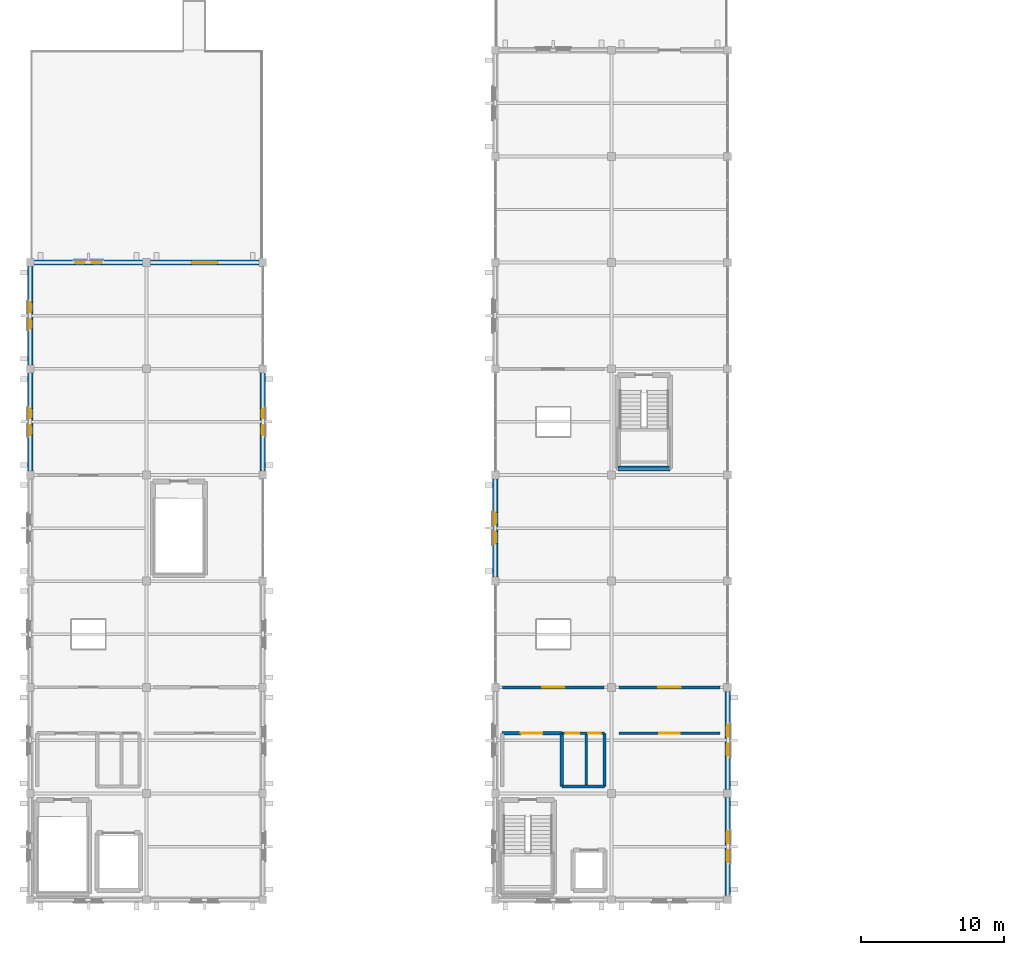
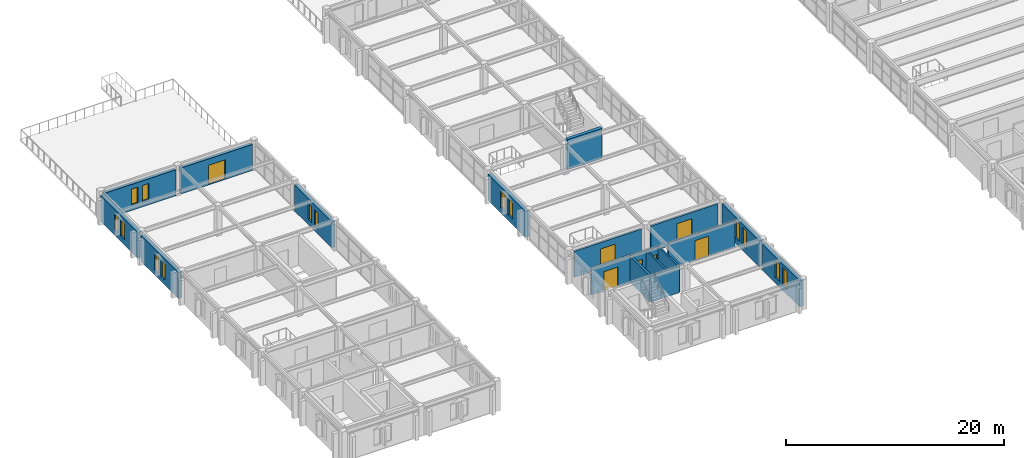
# One storey, part 79 of 93: 18 walls, 14 windows, 7 doors, 21 openings.
"""IFC4 building model written with IfcOpenShell, lengths in metres."""

from ifc_helpers import new_model, si_unit, direction, frame, frame_2d, origin, place, context, subcontext, project, spatial, rectangle, extrude, material, layer, layer_set, type_object, element, fill, save


model = new_model("IFC4")

# Units and contexts
model_context = context("Model", 3, precision=1e-05, world=origin(), true_north=direction((0.0, 1.0)))
body_context = subcontext(model_context, "Body", "Model", "MODEL_VIEW")
ifc_project = project(units=[si_unit("LENGTHUNIT", "METRE"), si_unit("AREAUNIT", "SQUARE_METRE"), si_unit("VOLUMEUNIT", "CUBIC_METRE"), si_unit("PLANEANGLEUNIT", "RADIAN"), si_unit("MASSUNIT", "GRAM", prefix="KILO")], contexts=[model_context])

# Site, building, storey
site_placement = place(None, origin())
site = spatial("IfcSite", under=ifc_project, at=site_placement, CompositionType="ELEMENT")
building_placement = place(site_placement, origin())
building = spatial("IfcBuilding", under=site, at=building_placement, Name="Cimatlan Art Gallery", CompositionType="ELEMENT")
storey_placement = place(building_placement, frame((0.0, 0.0, 13.800048828125)))
storey = spatial("IfcBuildingStorey", under=building, at=storey_placement, Name="L03", CompositionType="ELEMENT", Elevation=13.800048828125)

# Wall
ifc_material_1 = material(Name="Concrete C40/50", Category="concrete")
ifc_layer_1 = layer(ifc_material_1, 0.35009765625)
ifc_layer_set_1 = layer_set([ifc_layer_1], Name="Concrete C40/50")
wall_type_1 = type_object("IfcWallType", Name="W-CORE-350", PredefinedType="SHEAR", material=ifc_layer_set_1)
wall_1_placement = place(storey_placement, frame((42.93994140625, 53.93994140625, 0.0), z_axis=(0.0, 0.0, 1.0), x_axis=(1.0, 0.0, 0.0)))
element("IfcWall", 1, at=wall_1_placement, inside=storey, type_object=wall_type_1, Name="WL-CORE-C8-L03-SS", PredefinedType="SHEAR", context=body_context, shape_type="SweptSolid", body=[
    extrude(rectangle(XDim=3.64013671875, YDim=0.35009765625, at=frame_2d((1.820068359375, 0.0))), origin(), (0.0, 0.0, 1.0), 3.375),
])

# Wall, opening, door
ifc_material_2 = material(Name="Precast concrete C40/50", Category="concrete")
ifc_layer_2 = layer(ifc_material_2, 0.2451171875)
ifc_layer_set_2 = layer_set([ifc_layer_2], Name="Precast concrete C40/50")
wall_type_2 = type_object("IfcWallType", Name="W-FFL-245", PredefinedType="PARTITIONING", material=ifc_layer_set_2)
wall_2_placement = place(storey_placement, frame((34.8798828125, 35.5, 0.0), z_axis=(0.0, 0.0, 1.0), x_axis=(1.0, 0.0, 0.0)))
wall_2 = element("IfcWall", 2, at=wall_2_placement, inside=storey, type_object=wall_type_2, Name="WL-LOB-C2-L03-N", PredefinedType="PARTITIONING", context=body_context, shape_type="SweptSolid", body=[
    extrude(rectangle(XDim=4.170166015625, YDim=0.2451171875, at=frame_2d((2.0849609375, 0.0))), origin(), (0.0, 0.0, 1.0), 2.912841796875),
])
opening_1_placement = place(wall_2_placement, frame((1.300048828125, 0.0, 0.0)))
opening_1 = element("IfcOpeningElement", 3, at=opening_1_placement, cuts=wall_2, Name="Opening FDL-C2-L03", PredefinedType="OPENING", context=body_context, shape_type="SweptSolid", body=[
    extrude(rectangle(XDim=1.5, YDim=2.14990234375, at=frame_2d((0.75, 1.074951171875))), frame((0.0, 0.132568359375, 0.0), z_axis=(0.0, -1.0, 0.0), x_axis=(1.0, 0.0, 0.0)), (0.0, 0.0, 1.0), 0.26513671875),
])
ifc_material_3 = material(Name="Fire-resisting double-seal lobby door")
door_type_1 = type_object("IfcDoorType", Name="FD-LB-1500", OperationType="NOTDEFINED", PredefinedType="DOOR", material=ifc_material_3)
door_1_placement = place(opening_1_placement, origin())
door_1 = element("IfcDoor", 4, at=door_1_placement, inside=storey, type_object=door_type_1, Name="DR-LOB-C2-L03", OperationType="SINGLE_SWING_RIGHT", OverallHeight=2.14990234375, OverallWidth=1.5, PredefinedType="DOOR", context=body_context, shape_type="SweptSolid", body=[
    extrude(rectangle(XDim=1.5, YDim=2.14990234375, at=frame_2d((0.75, 1.074951171875))), frame((0.0, 0.02490234375, 0.0), z_axis=(0.0, -1.0, 0.0), x_axis=(1.0, 0.0, 0.0)), (0.0, 0.0, 1.0), 0.050048828125),
])
fill(opening_1, door_1)

# Wall
wall_3_placement = place(storey_placement, frame((39.050048828125, 31.780029296875, 0.0), z_axis=(0.0, 0.0, 1.0), x_axis=(0.0, 1.0, 0.0)))
element("IfcWall", 5, at=wall_3_placement, inside=storey, type_object=wall_type_2, Name="WL-LOB-C2-L03-M", PredefinedType="PARTITIONING", context=body_context, shape_type="SweptSolid", body=[
    extrude(rectangle(XDim=3.719970703125, YDim=0.2451171875, at=frame_2d((1.85986328125, 0.0))), origin(), (0.0, 0.0, 1.0), 2.912841796875),
])

# Wall, opening, door
ifc_material_4 = material(Name="Acoustic gypsum and steel stud partition", Category="steel")
ifc_layer_3 = layer(ifc_material_4, 0.205078125)
ifc_layer_set_3 = layer_set([ifc_layer_3], Name="Acoustic gypsum and steel stud partition")
wall_type_3 = type_object("IfcWallType", Name="W-GAL-205", PredefinedType="PARTITIONING", material=ifc_layer_set_3)
wall_4_placement = place(storey_placement, frame((34.919921875, 38.699951171875, 0.0), z_axis=(0.0, 0.0, 1.0), x_axis=(1.0, 0.0, 0.0)))
wall_4 = element("IfcWall", 6, at=wall_4_placement, inside=storey, type_object=wall_type_3, Name="WL-RM-L03-GAL-W1", PredefinedType="PARTITIONING", context=body_context, shape_type="SweptSolid", body=[
    extrude(rectangle(XDim=7.06005859375, YDim=0.205078125, at=frame_2d((3.530029296875, 0.0))), origin(), (0.0, 0.0, 1.0), 2.912841796875),
])
opening_2_placement = place(wall_4_placement, frame((2.7548828125, 0.0, 0.0)))
opening_2 = element("IfcOpeningElement", 7, at=opening_2_placement, cuts=wall_4, Name="Opening DI-0246", PredefinedType="OPENING", context=body_context, shape_type="SweptSolid", body=[
    extrude(rectangle(XDim=1.550048828125, YDim=2.199951171875, at=frame_2d((0.77490234375, 1.10009765625))), frame((0.0, 0.112548828125, 0.0), z_axis=(0.0, -1.0, 0.0), x_axis=(1.0, 0.0, 0.0)), (0.0, 0.0, 1.0), 0.22509765625),
])
ifc_material_5 = material(Name="European oak upper gallery door")
door_type_2 = type_object("IfcDoorType", Name="DI-GL-1550", OperationType="NOTDEFINED", PredefinedType="DOOR", material=ifc_material_5)
door_2_placement = place(opening_2_placement, origin())
door_2 = element("IfcDoor", 8, at=door_2_placement, inside=storey, type_object=door_type_2, Name="DR-RM-L03-GAL-W1", OperationType="SINGLE_SWING_RIGHT", OverallHeight=2.199951171875, OverallWidth=1.550048828125, PredefinedType="DOOR", context=body_context, shape_type="SweptSolid", body=[
    extrude(rectangle(XDim=1.550048828125, YDim=2.199951171875, at=frame_2d((0.77490234375, 1.10009765625))), frame((0.0, 0.02490234375, 0.0), z_axis=(0.0, -1.0, 0.0), x_axis=(1.0, 0.0, 0.0)), (0.0, 0.0, 1.0), 0.050048828125),
])
fill(opening_2, door_2)

wall_5_placement = place(storey_placement, frame((43.02001953125, 38.699951171875, 0.0), z_axis=(0.0, 0.0, 1.0), x_axis=(1.0, 0.0, 0.0)))
wall_5 = element("IfcWall", 9, at=wall_5_placement, inside=storey, type_object=wall_type_3, Name="WL-RM-L03-GAL-W1B", PredefinedType="PARTITIONING", context=body_context, shape_type="SweptSolid", body=[
    extrude(rectangle(XDim=7.06005859375, YDim=0.205078125, at=frame_2d((3.530029296875, 0.0))), origin(), (0.0, 0.0, 1.0), 2.912841796875),
])
opening_3_placement = place(wall_5_placement, frame((2.7548828125, 0.0, 0.0)))
opening_3 = element("IfcOpeningElement", 10, at=opening_3_placement, cuts=wall_5, Name="Opening DI-0247", PredefinedType="OPENING", context=body_context, shape_type="SweptSolid", body=[
    extrude(rectangle(XDim=1.550048828125, YDim=2.199951171875, at=frame_2d((0.77490234375, 1.10009765625))), frame((0.0, 0.112548828125, 0.0), z_axis=(0.0, -1.0, 0.0), x_axis=(1.0, 0.0, 0.0)), (0.0, 0.0, 1.0), 0.22509765625),
])
door_3_placement = place(opening_3_placement, origin())
door_3 = element("IfcDoor", 11, at=door_3_placement, inside=storey, type_object=door_type_2, Name="DR-RM-L03-GAL-W1B", OperationType="SINGLE_SWING_LEFT", OverallHeight=2.199951171875, OverallWidth=1.550048828125, PredefinedType="DOOR", context=body_context, shape_type="SweptSolid", body=[
    extrude(rectangle(XDim=1.550048828125, YDim=2.199951171875, at=frame_2d((0.77490234375, 1.10009765625))), frame((0.0, 0.02490234375, 0.0), z_axis=(0.0, -1.0, 0.0), x_axis=(1.0, 0.0, 0.0)), (0.0, 0.0, 1.0), 0.050048828125),
])
fill(opening_3, door_3)

ifc_material_6 = material(Name="Fire-rated gypsum board and steel stud partition", Category="steel")
ifc_layer_4 = layer(ifc_material_6, 0.139892578125)
ifc_layer_set_4 = layer_set([ifc_layer_4], Name="Fire-rated gypsum board and steel stud partition")
wall_type_4 = type_object("IfcWallType", Name="W-OFF-140", PredefinedType="PARTITIONING", material=ifc_layer_set_4)
wall_6_placement = place(storey_placement, frame((43.02001953125, 35.5, 0.0), z_axis=(0.0, 0.0, 1.0), x_axis=(1.0, 0.0, 0.0)))
wall_6 = element("IfcWall", 12, at=wall_6_placement, inside=storey, type_object=wall_type_4, Name="WL-RM-L03-SLN-W", PredefinedType="PARTITIONING", context=body_context, shape_type="SweptSolid", body=[
    extrude(rectangle(XDim=7.06005859375, YDim=0.139892578125, at=frame_2d((3.530029296875, 0.0))), origin(), (0.0, 0.0, 1.0), 2.912841796875),
])
opening_4_placement = place(wall_6_placement, frame((2.804931640625, 0.0, 0.0)))
opening_4 = element("IfcOpeningElement", 13, at=opening_4_placement, cuts=wall_6, Name="Opening DI-0245", PredefinedType="OPENING", context=body_context, shape_type="SweptSolid", body=[
    extrude(rectangle(XDim=1.449951171875, YDim=2.199951171875, at=frame_2d((0.72509765625, 1.10009765625))), frame((0.0, 0.080078125, 0.0), z_axis=(0.0, -1.0, 0.0), x_axis=(1.0, 0.0, 0.0)), (0.0, 0.0, 1.0), 0.159912109375),
])
ifc_material_7 = material(Name="Glazed bronze art-library door")
door_type_3 = type_object("IfcDoorType", Name="DI-LB-1450", OperationType="NOTDEFINED", PredefinedType="DOOR", material=ifc_material_7)
door_4_placement = place(opening_4_placement, origin())
door_4 = element("IfcDoor", 14, at=door_4_placement, inside=storey, type_object=door_type_3, Name="DR-RM-L03-SLN-W", OperationType="SINGLE_SWING_LEFT", OverallHeight=2.199951171875, OverallWidth=1.449951171875, PredefinedType="DOOR", context=body_context, shape_type="SweptSolid", body=[
    extrude(rectangle(XDim=1.449951171875, YDim=2.199951171875, at=frame_2d((0.72509765625, 1.10009765625))), frame((0.0, 0.02490234375, 0.0), z_axis=(0.0, -1.0, 0.0), x_axis=(1.0, 0.0, 0.0)), (0.0, 0.0, 1.0), 0.050048828125),
])
fill(opening_4, door_4)

# Walls
ifc_material_8 = material(Name="Moisture-resistant fire-rated plumbing wall")
ifc_layer_5 = layer(ifc_material_8, 0.195068359375)
ifc_layer_set_5 = layer_set([ifc_layer_5], Name="Moisture-resistant fire-rated plumbing wall")
wall_type_5 = type_object("IfcWallType", Name="W-PLM-195", PredefinedType="PARTITIONING", material=ifc_layer_set_5)
for number, where, z_axis, x_axis, name in (
    (15, (40.75, 31.780029296875, 0.0), (0.0, 0.0, 1.0), (0.0, 1.0, 0.0), "WL-LOB-C2-L03-D"),
    (16, (42.02001953125, 31.780029296875, 0.0), (0.0, 0.0, 1.0), (0.0, 1.0, 0.0), "WL-LOB-C2-L03-E"),
):
    element("IfcWall", number, at=place(storey_placement, frame(where, z_axis=z_axis, x_axis=x_axis)), inside=storey, type_object=wall_type_5, Name=name, PredefinedType="PARTITIONING", context=body_context, shape_type="SweptSolid", body=[
        extrude(rectangle(XDim=3.719970703125, YDim=0.195068359375, at=frame_2d((1.85986328125, 0.0))), origin(), (0.0, 0.0, 1.0), 2.912841796875),
    ])
wall_7_placement = place(storey_placement, frame((39.050048828125, 31.780029296875, 0.0), z_axis=(0.0, 0.0, 1.0), x_axis=(1.0, 0.0, 0.0)))
element("IfcWall", 17, at=wall_7_placement, inside=storey, type_object=wall_type_5, Name="WL-LOB-C2-L03-S", PredefinedType="PARTITIONING", context=body_context, shape_type="SweptSolid", body=[
    extrude(rectangle(XDim=2.969970703125, YDim=0.195068359375, at=frame_2d((1.48486328125, 0.0))), origin(), (0.0, 0.0, 1.0), 2.912841796875),
])

# Wall, openings, doors
wall_8_placement = place(storey_placement, frame((39.050048828125, 35.5, 0.0), z_axis=(0.0, 0.0, 1.0), x_axis=(1.0, 0.0, 0.0)))
wall_8 = element("IfcWall", 18, at=wall_8_placement, inside=storey, type_object=wall_type_5, Name="WL-WC-C2-L03-N", PredefinedType="PARTITIONING", context=body_context, shape_type="SweptSolid", body=[
    extrude(rectangle(XDim=2.969970703125, YDim=0.195068359375, at=frame_2d((1.48486328125, 0.0))), origin(), (0.0, 0.0, 1.0), 2.912841796875),
])
opening_5_placement = place(wall_8_placement, frame((0.25, 0.0, 0.0)))
opening_5 = element("IfcOpeningElement", 19, at=opening_5_placement, cuts=wall_8, Name="Opening DWC-C2A-L03", PredefinedType="OPENING", context=body_context, shape_type="SweptSolid", body=[
    extrude(rectangle(XDim=0.949951171875, YDim=2.10009765625, at=frame_2d((0.47509765625, 1.050048828125))), frame((0.0, 0.107421875, 0.0), z_axis=(0.0, -1.0, 0.0), x_axis=(1.0, 0.0, 0.0)), (0.0, 0.0, 1.0), 0.215087890625),
])
opening_6_placement = place(wall_8_placement, frame((1.820068359375, 0.0, 0.0)))
opening_6 = element("IfcOpeningElement", 20, at=opening_6_placement, cuts=wall_8, Name="Opening DWC-C2B-L03", PredefinedType="OPENING", context=body_context, shape_type="SweptSolid", body=[
    extrude(rectangle(XDim=0.89990234375, YDim=2.10009765625, at=frame_2d((0.449951171875, 1.050048828125))), frame((0.0, 0.107421875, 0.0), z_axis=(0.0, -1.0, 0.0), x_axis=(1.0, 0.0, 0.0)), (0.0, 0.0, 1.0), 0.215087890625),
])
ifc_material_9 = material(Name="Sanitary room door")
door_type_4 = type_object("IfcDoorType", Name="DI-WC-0900", OperationType="NOTDEFINED", PredefinedType="DOOR", material=ifc_material_9)
door_5_placement = place(opening_6_placement, origin())
door_5 = element("IfcDoor", 21, at=door_5_placement, inside=storey, type_object=door_type_4, Name="DR-PWC-C2-L03", OperationType="SINGLE_SWING_RIGHT", OverallHeight=2.10009765625, OverallWidth=0.89990234375, PredefinedType="DOOR", context=body_context, shape_type="SweptSolid", body=[
    extrude(rectangle(XDim=0.89990234375, YDim=2.10009765625, at=frame_2d((0.449951171875, 1.050048828125))), frame((0.0, 0.02490234375, 0.0), z_axis=(0.0, -1.0, 0.0), x_axis=(1.0, 0.0, 0.0)), (0.0, 0.0, 1.0), 0.050048828125),
])
fill(opening_6, door_5)
ifc_material_10 = material(Name="Accessible sanitary room door")
door_type_5 = type_object("IfcDoorType", Name="DI-WC-0950", OperationType="NOTDEFINED", PredefinedType="DOOR", material=ifc_material_10)
door_6_placement = place(opening_5_placement, origin())
door_6 = element("IfcDoor", 22, at=door_6_placement, inside=storey, type_object=door_type_5, Name="DR-AWC-C2-L03", OperationType="SINGLE_SWING_LEFT", OverallHeight=2.10009765625, OverallWidth=0.949951171875, PredefinedType="DOOR", context=body_context, shape_type="SweptSolid", body=[
    extrude(rectangle(XDim=0.949951171875, YDim=2.10009765625, at=frame_2d((0.47509765625, 1.050048828125))), frame((0.0, 0.02490234375, 0.0), z_axis=(0.0, -1.0, 0.0), x_axis=(1.0, 0.0, 0.0)), (0.0, 0.0, 1.0), 0.050048828125),
])
fill(opening_5, door_6)

# Wall, openings, windows
ifc_layer_6 = layer(ifc_material_2, 0.39990234375)
ifc_layer_set_6 = layer_set([ifc_layer_6], Name="Precast concrete C40/50")
wall_type_6 = type_object("IfcWallType", Name="WL-EXT-CAN-400", PredefinedType="SOLIDWALL", material=ifc_layer_set_6)
wall_9_placement = place(storey_placement, frame((34.39990234375, 46.37890625, 0.0), z_axis=(0.0, 0.0, 1.0), x_axis=(0.0, 1.0, 0.0)))
wall_9 = element("IfcWall", 23, at=wall_9_placement, inside=storey, type_object=wall_type_6, Name="WL-EXT-L03-04-06-W", PredefinedType="SOLIDWALL", context=body_context, shape_type="SweptSolid", body=[
    extrude(rectangle(XDim=6.842041015625, YDim=0.39990234375, at=frame_2d((3.4208984375, 0.0))), origin(), (0.0, 0.0, 1.0), 2.907958984375),
])
opening_7_placement = place(wall_9_placement, frame((2.341064453125, 0.0, 0.60009765625)))
opening_7 = element("IfcOpeningElement", 24, at=opening_7_placement, cuts=wall_9, Name="Opening WN-0239", PredefinedType="OPENING", context=body_context, shape_type="SweptSolid", body=[
    extrude(rectangle(XDim=0.840087890625, YDim=1.889892578125, at=frame_2d((0.419921875, 0.94482421875))), frame((0.0, 0.2099609375, 0.0), z_axis=(0.0, -1.0, 0.0), x_axis=(1.0, 0.0, 0.0)), (0.0, 0.0, 1.0), 0.419921875),
])
opening_8_placement = place(wall_9_placement, frame((3.660888671875, 0.0, 0.60009765625)))
opening_8 = element("IfcOpeningElement", 25, at=opening_8_placement, cuts=wall_9, Name="Opening WN-0240", PredefinedType="OPENING", context=body_context, shape_type="SweptSolid", body=[
    extrude(rectangle(XDim=0.840087890625, YDim=1.889892578125, at=frame_2d((0.419921875, 0.94482421875))), frame((0.0, 0.2099609375, 0.0), z_axis=(0.0, -1.0, 0.0), x_axis=(1.0, 0.0, 0.0)), (0.0, 0.0, 1.0), 0.419921875),
])
ifc_material_11 = material(Name="Low-E laminated double glazing in bronze lancet frame", Category="glass")
window_type_1 = type_object("IfcWindowType", Name="WIN-PAV-W3-0840X1890", PartitioningType="SINGLE_PANEL", PredefinedType="WINDOW", material=ifc_material_11)
window_1_placement = place(opening_7_placement, origin())
window_1 = element("IfcWindow", 26, at=window_1_placement, inside=storey, type_object=window_type_1, Name="WIN-0239", OverallHeight=1.889892578125, OverallWidth=0.840087890625, PartitioningType="SINGLE_PANEL", PredefinedType="WINDOW", context=body_context, shape_type="SweptSolid", body=[
    extrude(rectangle(XDim=0.840087890625, YDim=1.889892578125, at=frame_2d((0.419921875, 0.94482421875))), frame((0.0, 0.030029296875, 0.0), z_axis=(0.0, -1.0, 0.0), x_axis=(1.0, 0.0, 0.0)), (0.0, 0.0, 1.0), 0.06005859375),
])
fill(opening_7, window_1)
window_2_placement = place(opening_8_placement, origin())
window_2 = element("IfcWindow", 27, at=window_2_placement, inside=storey, type_object=window_type_1, Name="WIN-0240", OverallHeight=1.889892578125, OverallWidth=0.840087890625, PartitioningType="SINGLE_PANEL", PredefinedType="WINDOW", context=body_context, shape_type="SweptSolid", body=[
    extrude(rectangle(XDim=0.840087890625, YDim=1.889892578125, at=frame_2d((0.419921875, 0.94482421875))), frame((0.0, 0.030029296875, 0.0), z_axis=(0.0, -1.0, 0.0), x_axis=(1.0, 0.0, 0.0)), (0.0, 0.0, 1.0), 0.06005859375),
])
fill(opening_8, window_2)

wall_10_placement = place(storey_placement, frame((50.60009765625, 31.02099609375, 0.0), z_axis=(0.0, 0.0, 1.0), x_axis=(0.0, -1.0, 0.0)))
wall_10 = element("IfcWall", 28, at=wall_10_placement, inside=storey, type_object=wall_type_6, Name="WL-EXT-L03-05-03-E", PredefinedType="SOLIDWALL", context=body_context, shape_type="SweptSolid", body=[
    extrude(rectangle(XDim=6.842041015625, YDim=0.39990234375, at=frame_2d((3.4208984375, 0.0))), origin(), (0.0, 0.0, 1.0), 2.907958984375),
])
opening_9_placement = place(wall_10_placement, frame((2.341064453125, 0.0, 0.60009765625)))
opening_9 = element("IfcOpeningElement", 29, at=opening_9_placement, cuts=wall_10, Name="Opening WN-0249", PredefinedType="OPENING", context=body_context, shape_type="SweptSolid", body=[
    extrude(rectangle(XDim=0.840087890625, YDim=1.9599609375, at=frame_2d((0.419921875, 0.97998046875))), frame((0.0, 0.2099609375, 0.0), z_axis=(0.0, -1.0, 0.0), x_axis=(1.0, 0.0, 0.0)), (0.0, 0.0, 1.0), 0.419921875),
])
opening_10_placement = place(wall_10_placement, frame((3.660888671875, 0.0, 0.60009765625)))
opening_10 = element("IfcOpeningElement", 30, at=opening_10_placement, cuts=wall_10, Name="Opening WN-0250", PredefinedType="OPENING", context=body_context, shape_type="SweptSolid", body=[
    extrude(rectangle(XDim=0.840087890625, YDim=1.9599609375, at=frame_2d((0.419921875, 0.97998046875))), frame((0.0, 0.2099609375, 0.0), z_axis=(0.0, -1.0, 0.0), x_axis=(1.0, 0.0, 0.0)), (0.0, 0.0, 1.0), 0.419921875),
])
window_type_2 = type_object("IfcWindowType", Name="WIN-E-L03-0840X1960", PartitioningType="SINGLE_PANEL", PredefinedType="WINDOW", material=ifc_material_11)
window_3_placement = place(opening_9_placement, origin())
window_3 = element("IfcWindow", 31, at=window_3_placement, inside=storey, type_object=window_type_2, Name="WIN-0249", OverallHeight=1.9599609375, OverallWidth=0.840087890625, PartitioningType="SINGLE_PANEL", PredefinedType="WINDOW", context=body_context, shape_type="SweptSolid", body=[
    extrude(rectangle(XDim=0.840087890625, YDim=1.9599609375, at=frame_2d((0.419921875, 0.97998046875))), frame((0.0, 0.030029296875, 0.0), z_axis=(0.0, -1.0, 0.0), x_axis=(1.0, 0.0, 0.0)), (0.0, 0.0, 1.0), 0.06005859375),
])
fill(opening_9, window_3)
window_4_placement = place(opening_10_placement, origin())
window_4 = element("IfcWindow", 32, at=window_4_placement, inside=storey, type_object=window_type_2, Name="WIN-0250", OverallHeight=1.9599609375, OverallWidth=0.840087890625, PartitioningType="SINGLE_PANEL", PredefinedType="WINDOW", context=body_context, shape_type="SweptSolid", body=[
    extrude(rectangle(XDim=0.840087890625, YDim=1.9599609375, at=frame_2d((0.419921875, 0.97998046875))), frame((0.0, 0.030029296875, 0.0), z_axis=(0.0, -1.0, 0.0), x_axis=(1.0, 0.0, 0.0)), (0.0, 0.0, 1.0), 0.06005859375),
])
fill(opening_10, window_4)

wall_11_placement = place(storey_placement, frame((50.60009765625, 38.4208984375, 0.0), z_axis=(0.0, 0.0, 1.0), x_axis=(0.0, -1.0, 0.0)))
wall_11 = element("IfcWall", 33, at=wall_11_placement, inside=storey, type_object=wall_type_6, Name="WL-EXT-L03-05-04-E", PredefinedType="SOLIDWALL", context=body_context, shape_type="SweptSolid", body=[
    extrude(rectangle(XDim=6.841796875, YDim=0.39990234375, at=frame_2d((3.4208984375, 0.0))), origin(), (0.0, 0.0, 1.0), 2.907958984375),
])
opening_11_placement = place(wall_11_placement, frame((2.341064453125, 0.0, 0.60009765625)))
opening_11 = element("IfcOpeningElement", 34, at=opening_11_placement, cuts=wall_11, Name="Opening WN-0251", PredefinedType="OPENING", context=body_context, shape_type="SweptSolid", body=[
    extrude(rectangle(XDim=0.840087890625, YDim=1.9599609375, at=frame_2d((0.419921875, 0.97998046875))), frame((0.0, 0.2099609375, 0.0), z_axis=(0.0, -1.0, 0.0), x_axis=(1.0, 0.0, 0.0)), (0.0, 0.0, 1.0), 0.419921875),
])
opening_12_placement = place(wall_11_placement, frame((3.660888671875, 0.0, 0.60009765625)))
opening_12 = element("IfcOpeningElement", 35, at=opening_12_placement, cuts=wall_11, Name="Opening WN-0252", PredefinedType="OPENING", context=body_context, shape_type="SweptSolid", body=[
    extrude(rectangle(XDim=0.840087890625, YDim=1.9599609375, at=frame_2d((0.419921875, 0.97998046875))), frame((0.0, 0.2099609375, 0.0), z_axis=(0.0, -1.0, 0.0), x_axis=(1.0, 0.0, 0.0)), (0.0, 0.0, 1.0), 0.419921875),
])
window_5_placement = place(opening_11_placement, origin())
window_5 = element("IfcWindow", 36, at=window_5_placement, inside=storey, type_object=window_type_2, Name="WIN-0251", OverallHeight=1.9599609375, OverallWidth=0.840087890625, PartitioningType="SINGLE_PANEL", PredefinedType="WINDOW", context=body_context, shape_type="SweptSolid", body=[
    extrude(rectangle(XDim=0.840087890625, YDim=1.9599609375, at=frame_2d((0.419921875, 0.97998046875))), frame((0.0, 0.030029296875, 0.0), z_axis=(0.0, -1.0, 0.0), x_axis=(1.0, 0.0, 0.0)), (0.0, 0.0, 1.0), 0.06005859375),
])
fill(opening_11, window_5)
window_6_placement = place(opening_12_placement, origin())
window_6 = element("IfcWindow", 37, at=window_6_placement, inside=storey, type_object=window_type_2, Name="WIN-0252", OverallHeight=1.9599609375, OverallWidth=0.840087890625, PartitioningType="SINGLE_PANEL", PredefinedType="WINDOW", context=body_context, shape_type="SweptSolid", body=[
    extrude(rectangle(XDim=0.840087890625, YDim=1.9599609375, at=frame_2d((0.419921875, 0.97998046875))), frame((0.0, 0.030029296875, 0.0), z_axis=(0.0, -1.0, 0.0), x_axis=(1.0, 0.0, 0.0)), (0.0, 0.0, 1.0), 0.06005859375),
])
fill(opening_12, window_6)

ifc_layer_7 = layer(ifc_material_2, 0.364990234375)
ifc_layer_set_7 = layer_set([ifc_layer_7], Name="Precast concrete C40/50")
wall_type_7 = type_object("IfcWallType", Name="WL-EXT-VLT-365", PredefinedType="SOLIDWALL", material=ifc_layer_set_7)
wall_12_placement = place(storey_placement, frame((2.0, 53.779052734375, 0.0), z_axis=(0.0, 0.0, 1.0), x_axis=(0.0, 1.0, 0.0)))
wall_12 = element("IfcWall", 38, at=wall_12_placement, inside=storey, type_object=wall_type_7, Name="WL-EXT-L03-00-07-W", PredefinedType="SOLIDWALL", context=body_context, shape_type="SweptSolid", body=[
    extrude(rectangle(XDim=6.842041015625, YDim=0.364990234375, at=frame_2d((3.4208984375, 0.0))), origin(), (0.0, 0.0, 1.0), 2.907958984375),
])
opening_13_placement = place(wall_12_placement, frame((2.5009765625, 0.0, 0.60009765625)))
opening_13 = element("IfcOpeningElement", 39, at=opening_13_placement, cuts=wall_12, Name="Opening WN-0217", PredefinedType="OPENING", context=body_context, shape_type="SweptSolid", body=[
    extrude(rectangle(XDim=0.679931640625, YDim=1.780029296875, at=frame_2d((0.33984375, 0.89013671875))), frame((0.0, 0.1923828125, 0.0), z_axis=(0.0, -1.0, 0.0), x_axis=(1.0, 0.0, 0.0)), (0.0, 0.0, 1.0), 0.385009765625),
])
opening_14_placement = place(wall_12_placement, frame((3.660888671875, 0.0, 0.60009765625)))
opening_14 = element("IfcOpeningElement", 40, at=opening_14_placement, cuts=wall_12, Name="Opening WN-0218", PredefinedType="OPENING", context=body_context, shape_type="SweptSolid", body=[
    extrude(rectangle(XDim=0.679931640625, YDim=1.780029296875, at=frame_2d((0.33984375, 0.89013671875))), frame((0.0, 0.1923828125, 0.0), z_axis=(0.0, -1.0, 0.0), x_axis=(1.0, 0.0, 0.0)), (0.0, 0.0, 1.0), 0.385009765625),
])
window_type_3 = type_object("IfcWindowType", Name="WIN-CNS-L03-0680X1780", PartitioningType="SINGLE_PANEL", PredefinedType="WINDOW", material=ifc_material_11)
window_7_placement = place(opening_13_placement, origin())
window_7 = element("IfcWindow", 41, at=window_7_placement, inside=storey, type_object=window_type_3, Name="WIN-0217", OverallHeight=1.780029296875, OverallWidth=0.679931640625, PartitioningType="SINGLE_PANEL", PredefinedType="WINDOW", context=body_context, shape_type="SweptSolid", body=[
    extrude(rectangle(XDim=0.679931640625, YDim=1.780029296875, at=frame_2d((0.33984375, 0.89013671875))), frame((0.0, 0.030029296875, 0.0), z_axis=(0.0, -1.0, 0.0), x_axis=(1.0, 0.0, 0.0)), (0.0, 0.0, 1.0), 0.06005859375),
])
fill(opening_13, window_7)
window_8_placement = place(opening_14_placement, origin())
window_8 = element("IfcWindow", 42, at=window_8_placement, inside=storey, type_object=window_type_3, Name="WIN-0218", OverallHeight=1.780029296875, OverallWidth=0.679931640625, PartitioningType="SINGLE_PANEL", PredefinedType="WINDOW", context=body_context, shape_type="SweptSolid", body=[
    extrude(rectangle(XDim=0.679931640625, YDim=1.780029296875, at=frame_2d((0.33984375, 0.89013671875))), frame((0.0, 0.030029296875, 0.0), z_axis=(0.0, -1.0, 0.0), x_axis=(1.0, 0.0, 0.0)), (0.0, 0.0, 1.0), 0.06005859375),
])
fill(opening_14, window_8)

wall_13_placement = place(storey_placement, frame((2.279052734375, 68.300048828125, 0.0), z_axis=(0.0, 0.0, 1.0), x_axis=(1.0, 0.0, 0.0)))
wall_13 = element("IfcWall", 43, at=wall_13_placement, inside=storey, type_object=wall_type_7, Name="WL-EXT-L03-00-08-N", PredefinedType="SOLIDWALL", context=body_context, shape_type="SweptSolid", body=[
    extrude(rectangle(XDim=7.5419921875, YDim=0.364990234375, at=frame_2d((3.77099609375, 0.0))), origin(), (0.0, 0.0, 1.0), 2.907958984375),
])
opening_15_placement = place(wall_13_placement, frame((2.85107421875, 0.0, 0.60009765625)))
opening_15 = element("IfcOpeningElement", 44, at=opening_15_placement, cuts=wall_13, Name="Opening WN-0219", PredefinedType="OPENING", context=body_context, shape_type="SweptSolid", body=[
    extrude(rectangle(XDim=0.679931640625, YDim=1.780029296875, at=frame_2d((0.33984375, 0.89013671875))), frame((0.0, 0.1923828125, 0.0), z_axis=(0.0, -1.0, 0.0), x_axis=(1.0, 0.0, 0.0)), (0.0, 0.0, 1.0), 0.385009765625),
])
opening_16_placement = place(wall_13_placement, frame((4.010986328125, 0.0, 0.60009765625)))
opening_16 = element("IfcOpeningElement", 45, at=opening_16_placement, cuts=wall_13, Name="Opening WN-0220", PredefinedType="OPENING", context=body_context, shape_type="SweptSolid", body=[
    extrude(rectangle(XDim=0.679931640625, YDim=1.780029296875, at=frame_2d((0.33984375, 0.89013671875))), frame((0.0, 0.1923828125, 0.0), z_axis=(0.0, -1.0, 0.0), x_axis=(1.0, 0.0, 0.0)), (0.0, 0.0, 1.0), 0.385009765625),
])
window_9_placement = place(opening_15_placement, origin())
window_9 = element("IfcWindow", 46, at=window_9_placement, inside=storey, type_object=window_type_3, Name="WIN-0219", OverallHeight=1.780029296875, OverallWidth=0.679931640625, PartitioningType="SINGLE_PANEL", PredefinedType="WINDOW", context=body_context, shape_type="SweptSolid", body=[
    extrude(rectangle(XDim=0.679931640625, YDim=1.780029296875, at=frame_2d((0.33984375, 0.89013671875))), frame((0.0, 0.030029296875, 0.0), z_axis=(0.0, -1.0, 0.0), x_axis=(1.0, 0.0, 0.0)), (0.0, 0.0, 1.0), 0.06005859375),
])
fill(opening_15, window_9)
window_10_placement = place(opening_16_placement, origin())
window_10 = element("IfcWindow", 47, at=window_10_placement, inside=storey, type_object=window_type_3, Name="WIN-0220", OverallHeight=1.780029296875, OverallWidth=0.679931640625, PartitioningType="SINGLE_PANEL", PredefinedType="WINDOW", context=body_context, shape_type="SweptSolid", body=[
    extrude(rectangle(XDim=0.679931640625, YDim=1.780029296875, at=frame_2d((0.33984375, 0.89013671875))), frame((0.0, 0.030029296875, 0.0), z_axis=(0.0, -1.0, 0.0), x_axis=(1.0, 0.0, 0.0)), (0.0, 0.0, 1.0), 0.06005859375),
])
fill(opening_16, window_10)

wall_14_placement = place(storey_placement, frame((2.0, 61.178955078125, 0.0), z_axis=(0.0, 0.0, 1.0), x_axis=(0.0, 1.0, 0.0)))
wall_14 = element("IfcWall", 48, at=wall_14_placement, inside=storey, type_object=wall_type_7, Name="WL-EXT-L03-00-08-W", PredefinedType="SOLIDWALL", context=body_context, shape_type="SweptSolid", body=[
    extrude(rectangle(XDim=6.842041015625, YDim=0.364990234375, at=frame_2d((3.4208984375, 0.0))), origin(), (0.0, 0.0, 1.0), 2.907958984375),
])
opening_17_placement = place(wall_14_placement, frame((2.5009765625, 0.0, 0.60009765625)))
opening_17 = element("IfcOpeningElement", 49, at=opening_17_placement, cuts=wall_14, Name="Opening WN-0221", PredefinedType="OPENING", context=body_context, shape_type="SweptSolid", body=[
    extrude(rectangle(XDim=0.679931640625, YDim=1.780029296875, at=frame_2d((0.33984375, 0.89013671875))), frame((0.0, 0.1923828125, 0.0), z_axis=(0.0, -1.0, 0.0), x_axis=(1.0, 0.0, 0.0)), (0.0, 0.0, 1.0), 0.385009765625),
])
opening_18_placement = place(wall_14_placement, frame((3.660888671875, 0.0, 0.60009765625)))
opening_18 = element("IfcOpeningElement", 50, at=opening_18_placement, cuts=wall_14, Name="Opening WN-0222", PredefinedType="OPENING", context=body_context, shape_type="SweptSolid", body=[
    extrude(rectangle(XDim=0.679931640625, YDim=1.780029296875, at=frame_2d((0.33984375, 0.89013671875))), frame((0.0, 0.1923828125, 0.0), z_axis=(0.0, -1.0, 0.0), x_axis=(1.0, 0.0, 0.0)), (0.0, 0.0, 1.0), 0.385009765625),
])
window_11_placement = place(opening_17_placement, origin())
window_11 = element("IfcWindow", 51, at=window_11_placement, inside=storey, type_object=window_type_3, Name="WIN-0221", OverallHeight=1.780029296875, OverallWidth=0.679931640625, PartitioningType="SINGLE_PANEL", PredefinedType="WINDOW", context=body_context, shape_type="SweptSolid", body=[
    extrude(rectangle(XDim=0.679931640625, YDim=1.780029296875, at=frame_2d((0.33984375, 0.89013671875))), frame((0.0, 0.030029296875, 0.0), z_axis=(0.0, -1.0, 0.0), x_axis=(1.0, 0.0, 0.0)), (0.0, 0.0, 1.0), 0.06005859375),
])
fill(opening_17, window_11)
window_12_placement = place(opening_18_placement, origin())
window_12 = element("IfcWindow", 52, at=window_12_placement, inside=storey, type_object=window_type_3, Name="WIN-0222", OverallHeight=1.780029296875, OverallWidth=0.679931640625, PartitioningType="SINGLE_PANEL", PredefinedType="WINDOW", context=body_context, shape_type="SweptSolid", body=[
    extrude(rectangle(XDim=0.679931640625, YDim=1.780029296875, at=frame_2d((0.33984375, 0.89013671875))), frame((0.0, 0.030029296875, 0.0), z_axis=(0.0, -1.0, 0.0), x_axis=(1.0, 0.0, 0.0)), (0.0, 0.0, 1.0), 0.06005859375),
])
fill(opening_18, window_12)

wall_15_placement = place(storey_placement, frame((18.199951171875, 60.62109375, 0.0), z_axis=(0.0, 0.0, 1.0), x_axis=(0.0, -1.0, 0.0)))
wall_15 = element("IfcWall", 53, at=wall_15_placement, inside=storey, type_object=wall_type_7, Name="WL-EXT-L03-01-07-E", PredefinedType="SOLIDWALL", context=body_context, shape_type="SweptSolid", body=[
    extrude(rectangle(XDim=6.842041015625, YDim=0.364990234375, at=frame_2d((3.4208984375, 0.0))), origin(), (0.0, 0.0, 1.0), 2.907958984375),
])
opening_19_placement = place(wall_15_placement, frame((2.5009765625, 0.0, 0.60009765625)))
opening_19 = element("IfcOpeningElement", 54, at=opening_19_placement, cuts=wall_15, Name="Opening WN-0231", PredefinedType="OPENING", context=body_context, shape_type="SweptSolid", body=[
    extrude(rectangle(XDim=0.679931640625, YDim=1.780029296875, at=frame_2d((0.33984375, 0.89013671875))), frame((0.0, 0.1923828125, 0.0), z_axis=(0.0, -1.0, 0.0), x_axis=(1.0, 0.0, 0.0)), (0.0, 0.0, 1.0), 0.385009765625),
])
opening_20_placement = place(wall_15_placement, frame((3.660888671875, 0.0, 0.60009765625)))
opening_20 = element("IfcOpeningElement", 55, at=opening_20_placement, cuts=wall_15, Name="Opening WN-0232", PredefinedType="OPENING", context=body_context, shape_type="SweptSolid", body=[
    extrude(rectangle(XDim=0.679931640625, YDim=1.780029296875, at=frame_2d((0.33984375, 0.89013671875))), frame((0.0, 0.1923828125, 0.0), z_axis=(0.0, -1.0, 0.0), x_axis=(1.0, 0.0, 0.0)), (0.0, 0.0, 1.0), 0.385009765625),
])
window_13_placement = place(opening_19_placement, origin())
window_13 = element("IfcWindow", 56, at=window_13_placement, inside=storey, type_object=window_type_3, Name="WIN-0231", OverallHeight=1.780029296875, OverallWidth=0.679931640625, PartitioningType="SINGLE_PANEL", PredefinedType="WINDOW", context=body_context, shape_type="SweptSolid", body=[
    extrude(rectangle(XDim=0.679931640625, YDim=1.780029296875, at=frame_2d((0.33984375, 0.89013671875))), frame((0.0, 0.030029296875, 0.0), z_axis=(0.0, -1.0, 0.0), x_axis=(1.0, 0.0, 0.0)), (0.0, 0.0, 1.0), 0.06005859375),
])
fill(opening_19, window_13)
window_14_placement = place(opening_20_placement, origin())
window_14 = element("IfcWindow", 57, at=window_14_placement, inside=storey, type_object=window_type_3, Name="WIN-0232", OverallHeight=1.780029296875, OverallWidth=0.679931640625, PartitioningType="SINGLE_PANEL", PredefinedType="WINDOW", context=body_context, shape_type="SweptSolid", body=[
    extrude(rectangle(XDim=0.679931640625, YDim=1.780029296875, at=frame_2d((0.33984375, 0.89013671875))), frame((0.0, 0.030029296875, 0.0), z_axis=(0.0, -1.0, 0.0), x_axis=(1.0, 0.0, 0.0)), (0.0, 0.0, 1.0), 0.06005859375),
])
fill(opening_20, window_14)

# Wall, opening, door
wall_16_placement = place(storey_placement, frame((10.37890625, 68.300048828125, 0.0), z_axis=(0.0, 0.0, 1.0), x_axis=(1.0, 0.0, 0.0)))
wall_16 = element("IfcWall", 58, at=wall_16_placement, inside=storey, type_object=wall_type_7, Name="WL-EXT-L03-01-08-N", PredefinedType="SOLIDWALL", context=body_context, shape_type="SweptSolid", body=[
    extrude(rectangle(XDim=7.5419921875, YDim=0.364990234375, at=frame_2d((3.77099609375, 0.0))), origin(), (0.0, 0.0, 1.0), 2.907958984375),
])
opening_21_placement = place(wall_16_placement, frame((2.87109375, 0.0, 0.0)))
opening_21 = element("IfcOpeningElement", 59, at=opening_21_placement, cuts=wall_16, Name="Opening D-L03-T11", PredefinedType="OPENING", context=body_context, shape_type="SweptSolid", body=[
    extrude(rectangle(XDim=1.800048828125, YDim=2.199951171875, at=frame_2d((0.89990234375, 1.10009765625))), frame((0.0, 0.1923828125, 0.0), z_axis=(0.0, -1.0, 0.0), x_axis=(1.0, 0.0, 0.0)), (0.0, 0.0, 1.0), 0.385009765625),
])
ifc_material_12 = material(Name="Anodised bronze and laminated safety glass door", Category="glass")
door_type_6 = type_object("IfcDoorType", Name="DE-TR-1800", OperationType="NOTDEFINED", PredefinedType="DOOR", material=ifc_material_12)
door_7_placement = place(opening_21_placement, origin())
door_7 = element("IfcDoor", 60, at=door_7_placement, inside=storey, type_object=door_type_6, Name="D-L03-T11", OperationType="SINGLE_SWING_RIGHT", OverallHeight=2.199951171875, OverallWidth=1.800048828125, PredefinedType="DOOR", context=body_context, shape_type="SweptSolid", body=[
    extrude(rectangle(XDim=1.800048828125, YDim=2.199951171875, at=frame_2d((0.89990234375, 1.10009765625))), frame((0.0, 0.02490234375, 0.0), z_axis=(0.0, -1.0, 0.0), x_axis=(1.0, 0.0, 0.0)), (0.0, 0.0, 1.0), 0.050048828125),
])
fill(opening_21, door_7)

save(model, "model.ifc")
